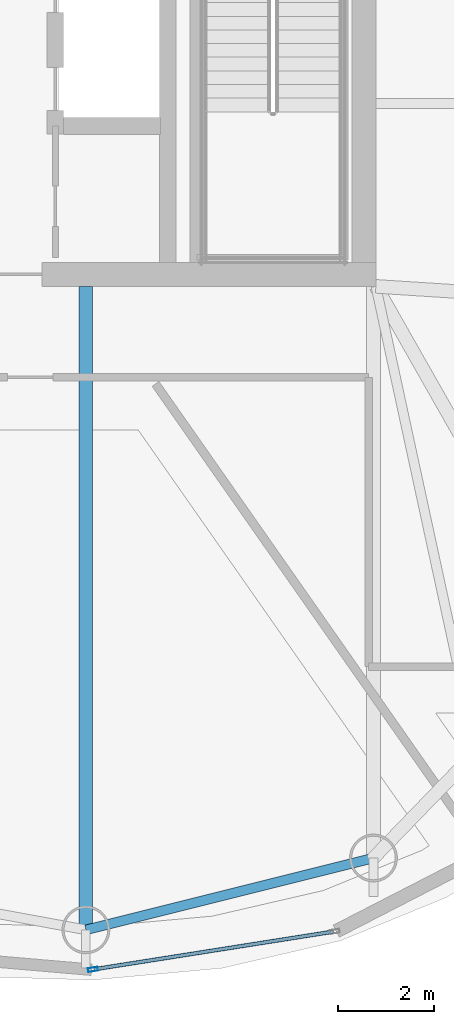
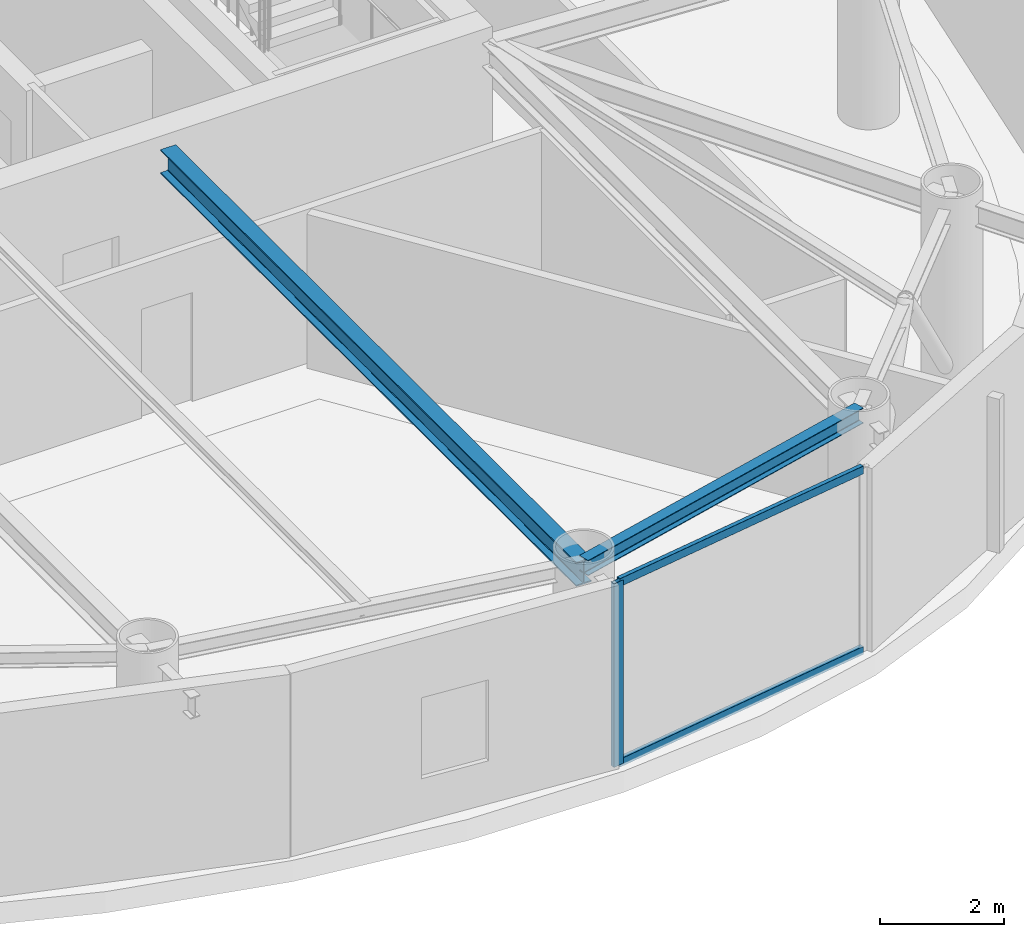
# One storey, part 4 of 20: 3 members, 2 beams, 1 element without a shape of its own.
"""IFC4 building model written with IfcOpenShell, lengths in metres."""

from ifc_helpers import new_model, si_unit, direction, frame, origin, origin_2d, place, context, subcontext, project, spatial, hollow_rectangle, i_section, extrude, material, layer, layer_set, material_profile, profile_set, type_object, element, aggregate, save


model = new_model("IFC4")

# Units and contexts
model_context = context("Model", 3, precision=1e-05, world=origin(), true_north=direction((0.0, 1.0)))
body_context = subcontext(model_context, "Body", "Model", "MODEL_VIEW")
ifc_project = project(units=[si_unit("LENGTHUNIT", "METRE"), si_unit("AREAUNIT", "SQUARE_METRE"), si_unit("VOLUMEUNIT", "CUBIC_METRE"), si_unit("PLANEANGLEUNIT", "RADIAN"), si_unit("MASSUNIT", "GRAM", prefix="KILO")], contexts=[model_context])

# Site, building, storey
site_placement = place(None, origin())
site = spatial("IfcSite", under=ifc_project, at=site_placement, CompositionType="ELEMENT")
building_placement = place(site_placement, origin())
building = spatial("IfcBuilding", under=site, at=building_placement, Name="Bramvorn Convention Spire", CompositionType="ELEMENT")
storey_placement = place(building_placement, frame((0.0, 0.0, 242.050048828125)))
storey = spatial("IfcBuildingStorey", under=building, at=storey_placement, Name="L61", CompositionType="ELEMENT", Elevation=242.050048828125)

# Beams
ifc_material_1 = material(Name="Steel CSA G40.21 Grade 350 (350W)", Category="steel")
ifc_material_profile_1 = material_profile(ifc_material_1, i_section(OverallWidth=0.202880859375, OverallDepth=0.302978515625, WebThickness=0.007568359375, FlangeThickness=0.01318359375, FilletRadius=0.013916015625, at=origin_2d()))
ifc_profile_set_1 = profile_set([ifc_material_profile_1], Name="Steel CSA G40.21 Grade 350 (350W) - W310X60")
beam_type_1 = type_object("IfcBeamType", Name="BM-W310X60", PredefinedType="JOIST", material=ifc_profile_set_1)
beam_1_placement = place(storey_placement, frame((43.1884765625, 5.09912109375, 3.473388671875), z_axis=(0.970177255997, 0.24239655927, 0.0), x_axis=(-0.24239655927, 0.970177255997, 0.0)))
element("IfcBeam", 1, at=beam_1_placement, inside=storey, type_object=beam_type_1, Name="L61 mega-column ring beam 16", PredefinedType="JOIST", context=body_context, shape_type="SweptSolid", body=[
    extrude(i_section(OverallWidth=0.202880859375, OverallDepth=0.302978515625, WebThickness=0.007568359375, FlangeThickness=0.01318359375, FilletRadius=0.013916015625, at=origin_2d()), origin(), (0.0, 0.0, 1.0), 6.1962890625),
])
ifc_material_profile_2 = material_profile(ifc_material_1, i_section(OverallWidth=0.283935546875, OverallDepth=0.47607421875, WebThickness=0.014892578125, FlangeThickness=0.02392578125, FilletRadius=0.01806640625, at=origin_2d()))
ifc_profile_set_2 = profile_set([ifc_material_profile_2], Name="Steel CSA G40.21 Grade 350 (350W) - W460X158")
beam_type_2 = type_object("IfcBeamType", Name="BM-W460X158", PredefinedType="SPANDREL", material=ifc_profile_set_2)
beam_2_placement = place(storey_placement, frame((43.1884765625, 18.550048828125, 3.346923828125), z_axis=(0.0, -1.0, 0.0), x_axis=(1.0, 0.0, 0.0)))
element("IfcBeam", 2, at=beam_2_placement, inside=storey, type_object=beam_type_2, Name="L61 Sky-Garden back-span radial girder MC16", PredefinedType="SPANDREL", context=body_context, shape_type="SweptSolid", body=[
    extrude(i_section(OverallWidth=0.283935546875, OverallDepth=0.47607421875, WebThickness=0.014892578125, FlangeThickness=0.02392578125, FilletRadius=0.01806640625, at=origin_2d()), origin(), (0.0, 0.0, 1.0), 13.450927734375),
])

# Curtain wall, members
ifc_material_2 = material(Name="Anodised Bronze Unitised Curtain Wall", Category="aluminium")
ifc_layer = layer(ifc_material_2, 0.179931640625)
ifc_layer_set = layer_set([ifc_layer], Name="Anodised Bronze Unitised Curtain Wall - CW-OFF-FRIT")
curtain_wall_type = type_object("IfcCurtainWallType", Name="CW-OFF-FRIT", PredefinedType="USERDEFINED", material=ifc_layer_set)
curtain_wall_placement = place(storey_placement, origin())
curtain_wall = element("IfcCurtainWall", 3, at=curtain_wall_placement, inside=storey, type_object=curtain_wall_type, Name="L61 fritted glass curtain wall 23", ObjectType="UNITISED CURTAIN WALL", PredefinedType="USERDEFINED")
ifc_material_3 = material(Name="Anodised Bronze Aluminium 6063-T6", Category="aluminium")
ifc_material_profile_3 = material_profile(ifc_material_3, hollow_rectangle(XDim=0.080078125, YDim=0.199951171875, WallThickness=0.00390625, InnerFilletRadius=0.0009765625, OuterFilletRadius=0.00390625, at=origin_2d()))
ifc_profile_set_3 = profile_set([ifc_material_profile_3], Name="Anodised Bronze Aluminium 6063-T6 - CWM80X200")
member_type_1 = type_object("IfcMemberType", Name="CW-MUL-180", PredefinedType="MULLION", material=ifc_profile_set_3)
member_1_placement = place(storey_placement, frame((43.335693359375, 4.270751953125, 0.0), z_axis=(0.0, 0.0, 1.0), x_axis=(0.155484664297, -0.987838306186, 0.0)))
member_1 = element("IfcMember", 4, at=member_1_placement, type_object=member_type_1, Name="CW3 mullion 2", PredefinedType="MULLION", context=body_context, shape_type="SweptSolid", body=[
    extrude(hollow_rectangle(XDim=0.080078125, YDim=0.199951171875, WallThickness=0.00390625, InnerFilletRadius=0.0009765625, OuterFilletRadius=0.00390625, at=origin_2d()), origin(), (0.0, 0.0, 1.0), 3.625),
])
ifc_material_profile_4 = material_profile(ifc_material_3, hollow_rectangle(XDim=0.080078125, YDim=0.159912109375, WallThickness=0.00390625, InnerFilletRadius=0.0009765625, OuterFilletRadius=0.00390625, at=origin_2d()))
ifc_profile_set_4 = profile_set([ifc_material_profile_4], Name="Anodised Bronze Aluminium 6063-T6 - CWT80X160")
member_type_2 = type_object("IfcMemberType", Name="CW-TRN-150", PredefinedType="USERDEFINED", material=ifc_profile_set_4)
member_2_placement = place(storey_placement, frame((48.363037109375, 5.06201171875, 0.030029296875), z_axis=(-0.987837976454, -0.155486759166, 0.0), x_axis=(0.155486759166, -0.987837976454, 0.0)))
member_2 = element("IfcMember", 5, at=member_2_placement, type_object=member_type_2, Name="CW3 transom 1.1", ObjectType="TRANSOM", PredefinedType="USERDEFINED", context=body_context, shape_type="SweptSolid", body=[
    extrude(hollow_rectangle(XDim=0.080078125, YDim=0.159912109375, WallThickness=0.00390625, InnerFilletRadius=0.0009765625, OuterFilletRadius=0.00390625, at=origin_2d()), origin(), (0.0, 0.0, 1.0), 5.05908203125),
])
member_3_placement = place(storey_placement, frame((48.363037109375, 5.06201171875, 3.594970703125), z_axis=(-0.987837976454, -0.155486759166, 0.0), x_axis=(0.155486759166, -0.987837976454, 0.0)))
member_3 = element("IfcMember", 6, at=member_3_placement, type_object=member_type_2, Name="CW3 transom 1.2", ObjectType="TRANSOM", PredefinedType="USERDEFINED", context=body_context, shape_type="SweptSolid", body=[
    extrude(hollow_rectangle(XDim=0.080078125, YDim=0.159912109375, WallThickness=0.00390625, InnerFilletRadius=0.0009765625, OuterFilletRadius=0.00390625, at=origin_2d()), origin(), (0.0, 0.0, 1.0), 5.05908203125),
])
aggregate(curtain_wall, [member_1, member_2, member_3])

save(model, "model.ifc")
